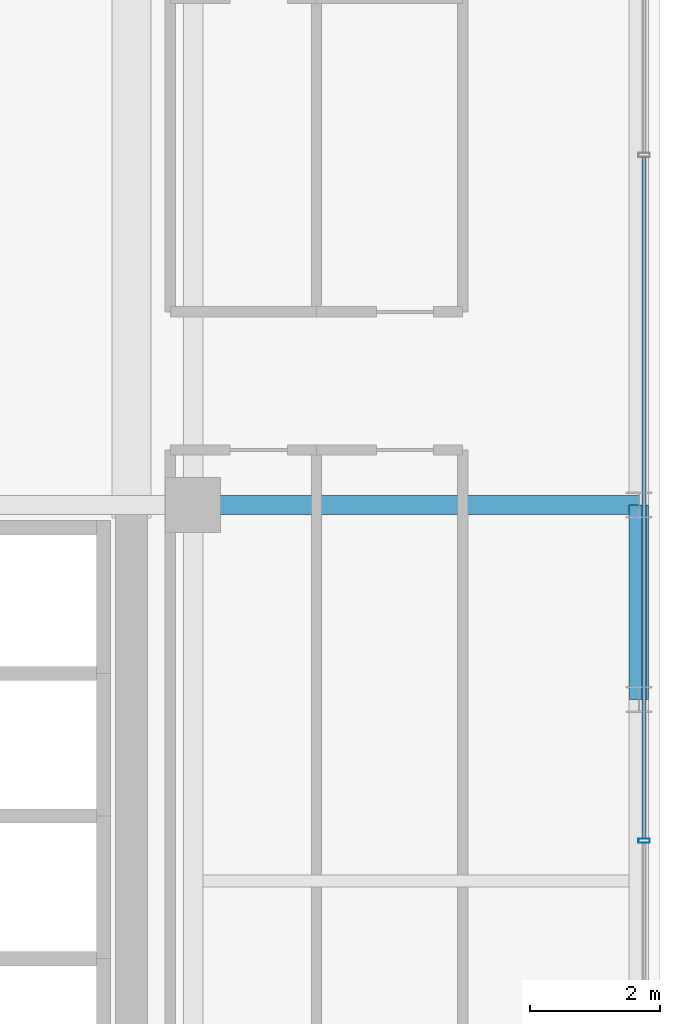
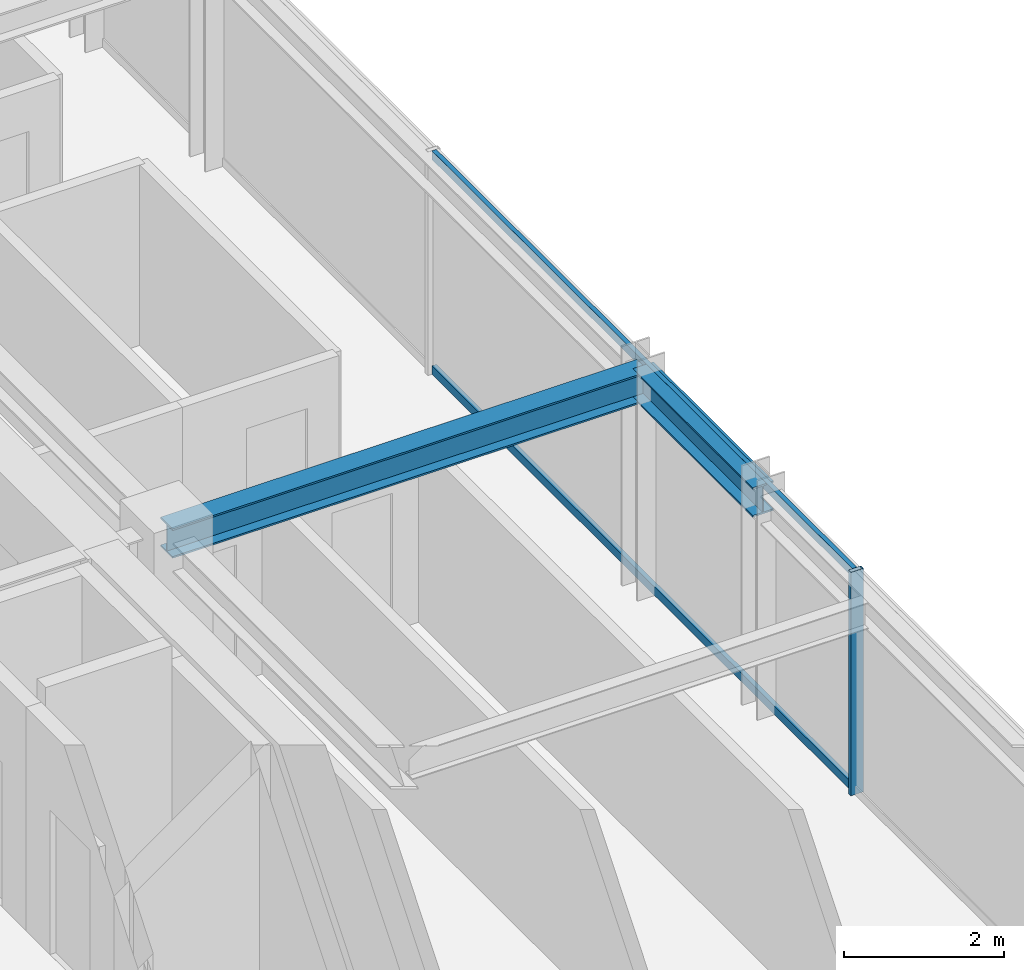
# One storey, part 16 of 35: 3 members, 2 beams, 1 element without a shape of its own.
"""IFC4 building model written with IfcOpenShell, lengths in metres."""

from ifc_helpers import new_model, si_unit, direction, frame, origin, origin_2d, place, context, subcontext, project, spatial, hollow_rectangle, i_section, extrude, source, transform, mapped, material, material_profile, profile_set, type_object, element, aggregate, save


model = new_model("IFC4")

# Units and contexts
model_context = context("Model", 3, precision=1e-05, world=origin(), true_north=direction((0.0, 1.0)))
body_context = subcontext(model_context, "Body", "Model", "MODEL_VIEW")
ifc_project = project(units=[si_unit("LENGTHUNIT", "METRE"), si_unit("AREAUNIT", "SQUARE_METRE"), si_unit("VOLUMEUNIT", "CUBIC_METRE"), si_unit("PLANEANGLEUNIT", "RADIAN"), si_unit("MASSUNIT", "GRAM", prefix="KILO")], contexts=[model_context])

# Site, building, storey
site_placement = place(None, origin())
site = spatial("IfcSite", under=ifc_project, at=site_placement, CompositionType="ELEMENT")
building_placement = place(site_placement, origin())
building = spatial("IfcBuilding", under=site, at=building_placement, Name="Nahalor Promenade Grand Hotel", CompositionType="ELEMENT")
storey_placement = place(building_placement, frame((0.0, 0.0, 245.60009765625)))
storey = spatial("IfcBuildingStorey", under=building, at=storey_placement, Name="L63", CompositionType="ELEMENT", Elevation=245.60009765625)

# Beams
ifc_material_1 = material(Name="Steel S355JR", Category="steel")
ifc_material_profile_1 = material_profile(ifc_material_1, i_section(OverallWidth=0.3, OverallDepth=0.45, WebThickness=0.014, FlangeThickness=0.026, at=origin_2d()), Name="HEB 450")
ifc_profile_set_1 = profile_set([ifc_material_profile_1], Name="Steel S355JR")
beam_type_1 = type_object("IfcBeamType", Name="Beam-Spandrel-HEB450", PredefinedType="SPANDREL", material=ifc_profile_set_1)
shared_shape_1 = source(origin(), body_context, "Body", "SweptSolid", [
    extrude(i_section(OverallWidth=0.3, OverallDepth=0.45, WebThickness=0.014, FlangeThickness=0.026, at=origin_2d()), origin(), (0.0, 0.0, 1.0), 3.0),
])
beam_1_placement = place(storey_placement, frame((23.8798828125, -8.39990234375, 3.184814453125), z_axis=(0.0, 1.0, 0.0), x_axis=(-1.0, 0.0, 0.0)))
element("IfcBeam", 1, at=beam_1_placement, inside=storey, type_object=beam_type_1, Name="BM-L63-SP-E-1", PredefinedType="SPANDREL", context=body_context, shape_type="MappedRepresentation", body=[
    mapped(shared_shape_1, transform((0.0, 0.0, 0.0), scale=1.0)),
])
ifc_material_profile_2 = material_profile(ifc_material_1, i_section(OverallWidth=0.3, OverallDepth=0.45, WebThickness=0.014, FlangeThickness=0.026, at=origin_2d()), Name="HEB 450")
ifc_profile_set_2 = profile_set([ifc_material_profile_2], Name="Steel S355JR")
beam_type_2 = type_object("IfcBeamType", Name="Beam-Girder-HEB450", PredefinedType="BEAM", material=ifc_profile_set_2)
shared_shape_2 = source(origin(), body_context, "Body", "SweptSolid", [
    extrude(i_section(OverallWidth=0.3, OverallDepth=0.45, WebThickness=0.014, FlangeThickness=0.026, at=origin_2d()), origin(), (0.0, 0.0, 1.0), 6.8798828125),
])
beam_2_placement = place(storey_placement, frame((17.0, -5.39990234375, 3.184814453125), z_axis=(1.0, 0.0, 0.0), x_axis=(0.0, 1.0, 0.0)))
element("IfcBeam", 2, at=beam_2_placement, inside=storey, type_object=beam_type_2, Name="BM-L63-GX-1-6", PredefinedType="BEAM", context=body_context, shape_type="MappedRepresentation", body=[
    mapped(shared_shape_2, transform((0.0, 0.0, 0.0), scale=1.0)),
])

# Curtain wall, members
ifc_material_2 = material(Name="Anodised Bronze Aluminium EN AW-6063 T6", Category="aluminium")
curtain_wall_type = type_object("IfcCurtainWallType", Name="CW2 Typical Hotel Flush Bronze Unitised Curtain Wall", PredefinedType="USERDEFINED", material=ifc_material_2)
curtain_wall_placement = place(storey_placement, origin())
curtain_wall = element("IfcCurtainWall", 3, at=curtain_wall_placement, inside=storey, type_object=curtain_wall_type, Name="L63 Curtain Wall CW-L63-E-1", ObjectType="UNITISED_CURTAIN_WALL", PredefinedType="USERDEFINED")
ifc_material_profile_3 = material_profile(ifc_material_2, hollow_rectangle(XDim=0.065, YDim=0.13, WallThickness=0.004, at=origin_2d()), Name="CWT 65x130x4")
ifc_profile_set_3 = profile_set([ifc_material_profile_3], Name="Anodised Bronze Aluminium EN AW-6063 T6")
member_type_1 = type_object("IfcMemberType", Name="CWT2 Typical Bronze Transom 65x130", PredefinedType="USERDEFINED", material=ifc_profile_set_3)
shared_shape_3 = source(origin(), body_context, "Body", "SweptSolid", [
    extrude(hollow_rectangle(XDim=0.065, YDim=0.13, WallThickness=0.004, at=origin_2d()), origin(), (0.0, 0.0, 1.0), 10.51513671875),
])
member_1_placement = place(storey_placement, frame((23.9599609375, -10.547607421875, 0.06494140625), z_axis=(0.0, 1.0, 0.0), x_axis=(-1.0, 0.0, 0.0)))
member_1 = element("IfcMember", 4, at=member_1_placement, type_object=member_type_1, Name="CW-L63-E-1 Transom 1-0", ObjectType="TRANSOM", PredefinedType="USERDEFINED", context=body_context, shape_type="MappedRepresentation", body=[
    mapped(shared_shape_3, transform((0.0, 0.0, 0.0), scale=1.0)),
])
member_2_placement = place(storey_placement, frame((23.9599609375, -10.547607421875, 3.344970703125), z_axis=(0.0, 1.0, 0.0), x_axis=(-1.0, 0.0, 0.0)))
member_2 = element("IfcMember", 5, at=member_2_placement, type_object=member_type_1, Name="CW-L63-E-1 Transom 1-1", ObjectType="TRANSOM", PredefinedType="USERDEFINED", context=body_context, shape_type="MappedRepresentation", body=[
    mapped(shared_shape_3, transform((0.0, 0.0, 0.0), scale=1.0)),
])
ifc_material_profile_4 = material_profile(ifc_material_2, hollow_rectangle(XDim=0.065, YDim=0.18, WallThickness=0.004, at=origin_2d()), Name="CWM 65x180x4")
ifc_profile_set_4 = profile_set([ifc_material_profile_4], Name="Anodised Bronze Aluminium EN AW-6063 T6")
member_type_2 = type_object("IfcMemberType", Name="CWM2 Typical Bronze Mullion 65x180", PredefinedType="MULLION", material=ifc_profile_set_4)
shared_shape_4 = source(origin(), body_context, "Body", "SweptSolid", [
    extrude(hollow_rectangle(XDim=0.065, YDim=0.18, WallThickness=0.004, at=origin_2d()), origin(), (0.0, 0.0, 1.0), 3.409912109375),
])
member_3_placement = place(storey_placement, frame((23.9599609375, -10.580078125, 0.0), z_axis=(0.0, 0.0, 1.0), x_axis=(0.0, 1.0, 0.0)))
member_3 = element("IfcMember", 6, at=member_3_placement, type_object=member_type_2, Name="CW-L63-E-1 Mullion 1", PredefinedType="MULLION", context=body_context, shape_type="MappedRepresentation", body=[
    mapped(shared_shape_4, transform((0.0, 0.0, 0.0), scale=1.0)),
])
aggregate(curtain_wall, [member_3, member_1, member_2])

save(model, "model.ifc")
